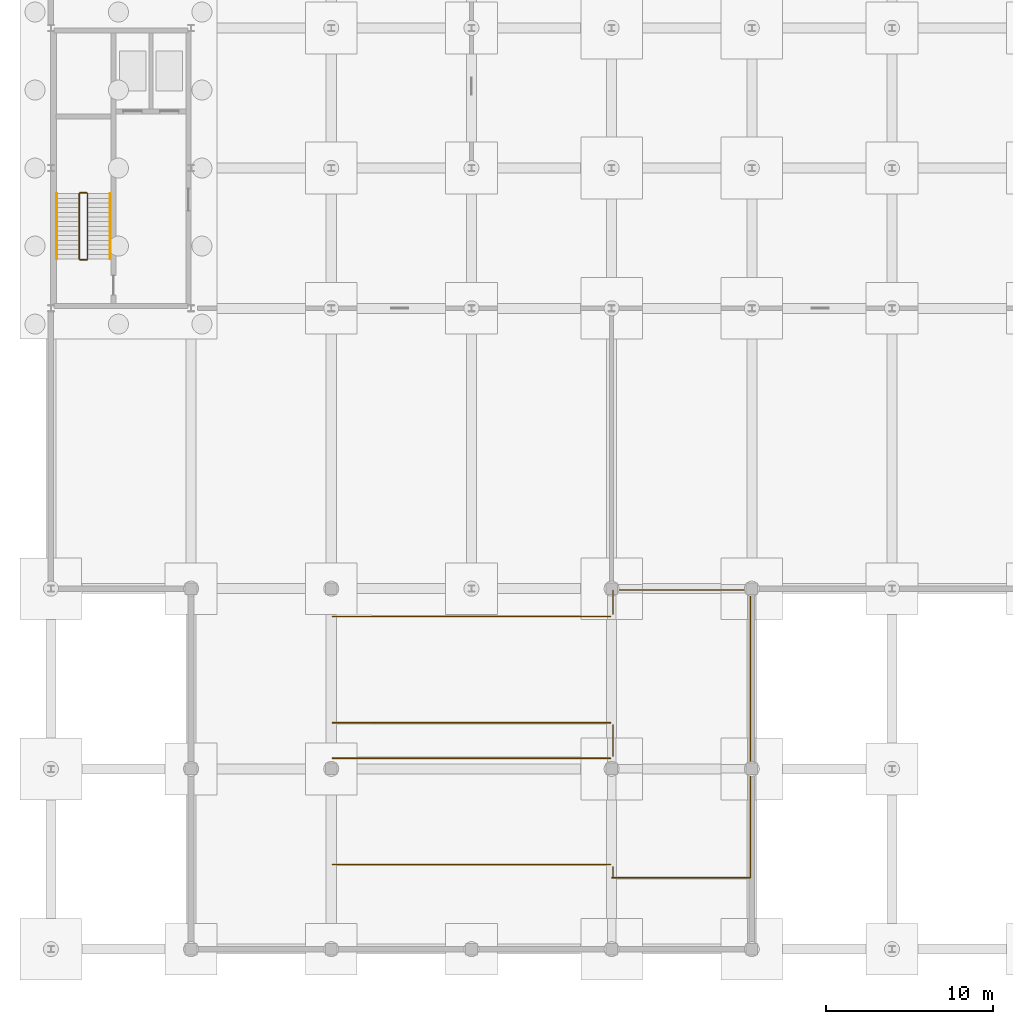
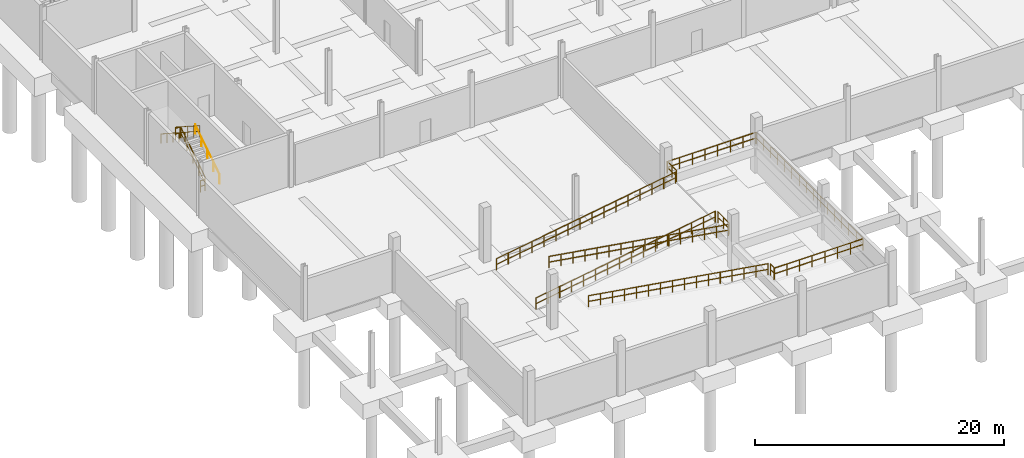
# One storey, part 31 of 36: 16 railings.
"""IFC4 building model written with IfcOpenShell, lengths in metres."""

from ifc_helpers import new_model, si_unit, direction, frame, origin, origin_2d, place, context, subcontext, project, spatial, circle, extrude, material, type_object, element, save


model = new_model("IFC4")

# Units and contexts
model_context = context("Model", 3, precision=1e-05, world=origin(), true_north=direction((0.0, 1.0)))
body_context = subcontext(model_context, "Body", "Model", "MODEL_VIEW")
ifc_project = project(units=[si_unit("LENGTHUNIT", "METRE"), si_unit("AREAUNIT", "SQUARE_METRE"), si_unit("VOLUMEUNIT", "CUBIC_METRE"), si_unit("PLANEANGLEUNIT", "RADIAN"), si_unit("MASSUNIT", "GRAM", prefix="KILO"), si_unit("THERMODYNAMICTEMPERATUREUNIT", "KELVIN"), si_unit("POWERUNIT", "WATT")], contexts=[model_context])

# Site, building, storey
site_placement = place(None, origin())
site = spatial("IfcSite", under=ifc_project, at=site_placement, CompositionType="ELEMENT")
building_placement = place(site_placement, origin())
building = spatial("IfcBuilding", under=site, at=building_placement, Name="Tembeka Court Mobility Hub", CompositionType="ELEMENT")
storey_placement = place(building_placement, frame((0.0, 0.0, -5.39990234375)))
storey = spatial("IfcBuildingStorey", under=building, at=storey_placement, Name="B1", CompositionType="ELEMENT", Elevation=-5.39990234375)

# Railings
ifc_material_1 = material(Name="Painted galvanised steel balustrade", Category="steel")
railing_type_1 = type_object("IfcRailingType", Name="RL-GR01", PredefinedType="GUARDRAIL", material=ifc_material_1)
railing_1_placement = place(storey_placement, frame((2.199951171875, 41.35009765625, 0.179931640625)))
element("IfcRailing", 1, at=railing_1_placement, inside=storey, type_object=railing_type_1, Name="B1 ST01 stair guard 1-1", PredefinedType="GUARDRAIL", context=body_context, shape_type="SweptSolid", body=[
    extrude(circle(Radius=0.02392578125, at=origin_2d()), frame((0.0, 0.0, 1.09619140625), z_axis=(0.0, 0.841171666519, 0.540768182723), x_axis=(-1.0, 0.0, 0.0)), (0.0, 0.0, 1.0), 4.66015625),
    extrude(circle(Radius=0.02392578125, at=origin_2d()), frame((0.0, 0.0, 0.5361328125), z_axis=(0.0, 0.841171666519, 0.540768182723), x_axis=(-1.0, 0.0, 0.0)), (0.0, 0.0, 1.0), 4.66015625),
    extrude(circle(Radius=0.02099609375, at=origin_2d()), origin(), (0.0, 0.0, 1.0), 1.072021484375),
    extrude(circle(Radius=0.02099609375, at=origin_2d()), frame((0.0, 0.97998046875, 0.6298828125)), (0.0, 0.0, 1.0), 1.072021484375),
    extrude(circle(Radius=0.02099609375, at=origin_2d()), frame((0.0, 1.9599609375, 1.260009765625)), (0.0, 0.0, 1.0), 1.072021484375),
    extrude(circle(Radius=0.02099609375, at=origin_2d()), frame((0.0, 2.93994140625, 1.89013671875)), (0.0, 0.0, 1.0), 1.072021484375),
    extrude(circle(Radius=0.02099609375, at=origin_2d()), frame((0.0, 3.919921875, 2.52001953125)), (0.0, 0.0, 1.0), 1.072021484375),
])
railing_2_placement = place(storey_placement, frame((2.14990234375, 45.320068359375, 2.699951171875)))
element("IfcRailing", 2, at=railing_2_placement, inside=storey, type_object=railing_type_1, Name="B1 ST01 stair guard 2-1", PredefinedType="GUARDRAIL", context=body_context, shape_type="SweptSolid", body=[
    extrude(circle(Radius=0.02392578125, at=origin_2d()), frame((0.0, 0.0, 1.09619140625), z_axis=(-1.0, 0.0, 0.0), x_axis=(0.0, -1.0, 0.0)), (0.0, 0.0, 1.0), 0.39990234375),
    extrude(circle(Radius=0.02392578125, at=origin_2d()), frame((0.0, 0.0, 0.5361328125), z_axis=(-1.0, 0.0, 0.0), x_axis=(0.0, -1.0, 0.0)), (0.0, 0.0, 1.0), 0.39990234375),
    extrude(circle(Radius=0.02099609375, at=origin_2d()), origin(), (0.0, 0.0, 1.0), 1.072021484375),
    extrude(circle(Radius=0.02099609375, at=origin_2d()), frame((-0.39990234375, 0.0, 0.0)), (0.0, 0.0, 1.0), 1.072021484375),
])
railing_3_placement = place(storey_placement, frame((1.699951171875, 45.27001953125, 2.8798828125)))
element("IfcRailing", 3, at=railing_3_placement, inside=storey, type_object=railing_type_1, Name="B1 ST01 stair guard 3-1", PredefinedType="GUARDRAIL", context=body_context, shape_type="SweptSolid", body=[
    extrude(circle(Radius=0.02392578125, at=origin_2d()), frame((0.0, 0.0, 1.09619140625), z_axis=(0.0, -0.841171666519, 0.540768182723), x_axis=(1.0, 0.0, 0.0)), (0.0, 0.0, 1.0), 4.66015625),
    extrude(circle(Radius=0.02392578125, at=origin_2d()), frame((0.0, 0.0, 0.5361328125), z_axis=(0.0, -0.841171666519, 0.540768182723), x_axis=(1.0, 0.0, 0.0)), (0.0, 0.0, 1.0), 4.66015625),
    extrude(circle(Radius=0.02099609375, at=origin_2d()), origin(), (0.0, 0.0, 1.0), 1.072021484375),
    extrude(circle(Radius=0.02099609375, at=origin_2d()), frame((0.0, -0.97998046875, 0.6298828125)), (0.0, 0.0, 1.0), 1.072021484375),
    extrude(circle(Radius=0.02099609375, at=origin_2d()), frame((0.0, -1.9599609375, 1.260009765625)), (0.0, 0.0, 1.0), 1.072021484375),
    extrude(circle(Radius=0.02099609375, at=origin_2d()), frame((0.0, -2.93994140625, 1.89013671875)), (0.0, 0.0, 1.0), 1.072021484375),
    extrude(circle(Radius=0.02099609375, at=origin_2d()), frame((0.0, -3.919921875, 2.52001953125)), (0.0, 0.0, 1.0), 1.072021484375),
])
railing_4_placement = place(storey_placement, frame((2.14990234375, 41.300048828125, 0.0)))
element("IfcRailing", 4, at=railing_4_placement, inside=storey, type_object=railing_type_1, Name="B1 ST01 stair guard 4-1", PredefinedType="GUARDRAIL", context=body_context, shape_type="SweptSolid", body=[
    extrude(circle(Radius=0.02392578125, at=origin_2d()), frame((0.0, 0.0, 1.09619140625), z_axis=(-1.0, 0.0, 0.0), x_axis=(0.0, -1.0, 0.0)), (0.0, 0.0, 1.0), 0.39990234375),
    extrude(circle(Radius=0.02392578125, at=origin_2d()), frame((0.0, 0.0, 0.5361328125), z_axis=(-1.0, 0.0, 0.0), x_axis=(0.0, -1.0, 0.0)), (0.0, 0.0, 1.0), 0.39990234375),
    extrude(circle(Radius=0.02099609375, at=origin_2d()), origin(), (0.0, 0.0, 1.0), 1.072021484375),
    extrude(circle(Radius=0.02099609375, at=origin_2d()), frame((-0.39990234375, 0.0, 0.0)), (0.0, 0.0, 1.0), 1.072021484375),
])
railing_type_2 = type_object("IfcRailingType", Name="RL-GR02", PredefinedType="GUARDRAIL", material=ifc_material_1)
railing_5_placement = place(storey_placement, frame((16.86962890625, 13.570068359375, 0.004638671875)))
element("IfcRailing", 5, at=railing_5_placement, inside=storey, type_object=railing_type_2, Name="Perimeter guard GR02-0277", PredefinedType="GUARDRAIL", context=body_context, shape_type="SweptSolid", body=[
    extrude(circle(Radius=0.02392578125, at=origin_2d()), frame((0.0, 0.0, 1.09619140625), z_axis=(0.987211393699, 0.0, 0.159416636997), x_axis=(0.0, 1.0, 0.0)), (0.0, 0.0, 1.0), 16.876708984375),
    extrude(circle(Radius=0.02392578125, at=origin_2d()), frame((0.0, 0.0, 0.5361328125), z_axis=(0.987211393699, 0.0, 0.159416636997), x_axis=(0.0, 1.0, 0.0)), (0.0, 0.0, 1.0), 16.876708984375),
    extrude(circle(Radius=0.02099609375, at=origin_2d()), origin(), (0.0, 0.0, 1.0), 1.072021484375),
    extrude(circle(Radius=0.02099609375, at=origin_2d()), frame((1.11083984375, 0.0, 0.179443359375)), (0.0, 0.0, 1.0), 1.072021484375),
    extrude(circle(Radius=0.02099609375, at=origin_2d()), frame((2.221435546875, 0.0, 0.358642578125)), (0.0, 0.0, 1.0), 1.072021484375),
    extrude(circle(Radius=0.02099609375, at=origin_2d()), frame((3.332275390625, 0.0, 0.5380859375)), (0.0, 0.0, 1.0), 1.072021484375),
    extrude(circle(Radius=0.02099609375, at=origin_2d()), frame((4.44287109375, 0.0, 0.717529296875)), (0.0, 0.0, 1.0), 1.072021484375),
    extrude(circle(Radius=0.02099609375, at=origin_2d()), frame((5.5537109375, 0.0, 0.896728515625)), (0.0, 0.0, 1.0), 1.072021484375),
    extrude(circle(Radius=0.02099609375, at=origin_2d()), frame((6.664306640625, 0.0, 1.076171875)), (0.0, 0.0, 1.0), 1.072021484375),
    extrude(circle(Radius=0.02099609375, at=origin_2d()), frame((7.775146484375, 0.0, 1.255615234375)), (0.0, 0.0, 1.0), 1.072021484375),
    extrude(circle(Radius=0.02099609375, at=origin_2d()), frame((8.8857421875, 0.0, 1.434814453125)), (0.0, 0.0, 1.0), 1.072021484375),
    extrude(circle(Radius=0.02099609375, at=origin_2d()), frame((9.99658203125, 0.0, 1.6142578125)), (0.0, 0.0, 1.0), 1.072021484375),
    extrude(circle(Radius=0.02099609375, at=origin_2d()), frame((11.107177734375, 0.0, 1.793701171875)), (0.0, 0.0, 1.0), 1.072021484375),
    extrude(circle(Radius=0.02099609375, at=origin_2d()), frame((12.218017578125, 0.0, 1.972900390625)), (0.0, 0.0, 1.0), 1.072021484375),
    extrude(circle(Radius=0.02099609375, at=origin_2d()), frame((13.32861328125, 0.0, 2.15234375)), (0.0, 0.0, 1.0), 1.072021484375),
    extrude(circle(Radius=0.02099609375, at=origin_2d()), frame((14.439453125, 0.0, 2.331787109375)), (0.0, 0.0, 1.0), 1.072021484375),
    extrude(circle(Radius=0.02099609375, at=origin_2d()), frame((15.550048828125, 0.0, 2.510986328125)), (0.0, 0.0, 1.0), 1.072021484375),
    extrude(circle(Radius=0.02099609375, at=origin_2d()), frame((16.660888671875, 0.0, 2.6904296875)), (0.0, 0.0, 1.0), 1.072021484375),
])
railing_6_placement = place(storey_placement, frame((33.530517578125, 5.070068359375, 2.70458984375)))
element("IfcRailing", 6, at=railing_6_placement, inside=storey, type_object=railing_type_2, Name="Perimeter guard GR02-0278", PredefinedType="GUARDRAIL", context=body_context, shape_type="SweptSolid", body=[
    extrude(circle(Radius=0.02392578125, at=origin_2d()), frame((0.0, 0.0, 1.09619140625), z_axis=(-0.987211393699, 0.0, 0.159416636997), x_axis=(0.0, -1.0, 0.0)), (0.0, 0.0, 1.0), 16.876708984375),
    extrude(circle(Radius=0.02392578125, at=origin_2d()), frame((0.0, 0.0, 0.5361328125), z_axis=(-0.987211393699, 0.0, 0.159416636997), x_axis=(0.0, -1.0, 0.0)), (0.0, 0.0, 1.0), 16.876708984375),
    extrude(circle(Radius=0.02099609375, at=origin_2d()), origin(), (0.0, 0.0, 1.0), 1.072021484375),
    extrude(circle(Radius=0.02099609375, at=origin_2d()), frame((-1.11083984375, 0.0, 0.179443359375)), (0.0, 0.0, 1.0), 1.072021484375),
    extrude(circle(Radius=0.02099609375, at=origin_2d()), frame((-2.221435546875, 0.0, 0.358642578125)), (0.0, 0.0, 1.0), 1.072021484375),
    extrude(circle(Radius=0.02099609375, at=origin_2d()), frame((-3.332275390625, 0.0, 0.5380859375)), (0.0, 0.0, 1.0), 1.072021484375),
    extrude(circle(Radius=0.02099609375, at=origin_2d()), frame((-4.44287109375, 0.0, 0.717529296875)), (0.0, 0.0, 1.0), 1.072021484375),
    extrude(circle(Radius=0.02099609375, at=origin_2d()), frame((-5.5537109375, 0.0, 0.896728515625)), (0.0, 0.0, 1.0), 1.072021484375),
    extrude(circle(Radius=0.02099609375, at=origin_2d()), frame((-6.664306640625, 0.0, 1.076171875)), (0.0, 0.0, 1.0), 1.072021484375),
    extrude(circle(Radius=0.02099609375, at=origin_2d()), frame((-7.775146484375, 0.0, 1.255615234375)), (0.0, 0.0, 1.0), 1.072021484375),
    extrude(circle(Radius=0.02099609375, at=origin_2d()), frame((-8.8857421875, 0.0, 1.434814453125)), (0.0, 0.0, 1.0), 1.072021484375),
    extrude(circle(Radius=0.02099609375, at=origin_2d()), frame((-9.99658203125, 0.0, 1.6142578125)), (0.0, 0.0, 1.0), 1.072021484375),
    extrude(circle(Radius=0.02099609375, at=origin_2d()), frame((-11.107177734375, 0.0, 1.793701171875)), (0.0, 0.0, 1.0), 1.072021484375),
    extrude(circle(Radius=0.02099609375, at=origin_2d()), frame((-12.218017578125, 0.0, 1.972900390625)), (0.0, 0.0, 1.0), 1.072021484375),
    extrude(circle(Radius=0.02099609375, at=origin_2d()), frame((-13.32861328125, 0.0, 2.15234375)), (0.0, 0.0, 1.0), 1.072021484375),
    extrude(circle(Radius=0.02099609375, at=origin_2d()), frame((-14.439453125, 0.0, 2.331787109375)), (0.0, 0.0, 1.0), 1.072021484375),
    extrude(circle(Radius=0.02099609375, at=origin_2d()), frame((-15.550048828125, 0.0, 2.510986328125)), (0.0, 0.0, 1.0), 1.072021484375),
    extrude(circle(Radius=0.02099609375, at=origin_2d()), frame((-16.660888671875, 0.0, 2.6904296875)), (0.0, 0.0, 1.0), 1.072021484375),
])
railing_7_placement = place(storey_placement, frame((16.86962890625, 19.929931640625, 0.004638671875)))
element("IfcRailing", 7, at=railing_7_placement, inside=storey, type_object=railing_type_2, Name="Perimeter guard GR02-0279", PredefinedType="GUARDRAIL", context=body_context, shape_type="SweptSolid", body=[
    extrude(circle(Radius=0.02392578125, at=origin_2d()), frame((0.0, 0.0, 1.09619140625), z_axis=(0.987211393699, 0.0, 0.159416636997), x_axis=(0.0, 1.0, 0.0)), (0.0, 0.0, 1.0), 16.876708984375),
    extrude(circle(Radius=0.02392578125, at=origin_2d()), frame((0.0, 0.0, 0.5361328125), z_axis=(0.987211393699, 0.0, 0.159416636997), x_axis=(0.0, 1.0, 0.0)), (0.0, 0.0, 1.0), 16.876708984375),
    extrude(circle(Radius=0.02099609375, at=origin_2d()), origin(), (0.0, 0.0, 1.0), 1.072021484375),
    extrude(circle(Radius=0.02099609375, at=origin_2d()), frame((1.11083984375, 0.0, 0.179443359375)), (0.0, 0.0, 1.0), 1.072021484375),
    extrude(circle(Radius=0.02099609375, at=origin_2d()), frame((2.221435546875, 0.0, 0.358642578125)), (0.0, 0.0, 1.0), 1.072021484375),
    extrude(circle(Radius=0.02099609375, at=origin_2d()), frame((3.332275390625, 0.0, 0.5380859375)), (0.0, 0.0, 1.0), 1.072021484375),
    extrude(circle(Radius=0.02099609375, at=origin_2d()), frame((4.44287109375, 0.0, 0.717529296875)), (0.0, 0.0, 1.0), 1.072021484375),
    extrude(circle(Radius=0.02099609375, at=origin_2d()), frame((5.5537109375, 0.0, 0.896728515625)), (0.0, 0.0, 1.0), 1.072021484375),
    extrude(circle(Radius=0.02099609375, at=origin_2d()), frame((6.664306640625, 0.0, 1.076171875)), (0.0, 0.0, 1.0), 1.072021484375),
    extrude(circle(Radius=0.02099609375, at=origin_2d()), frame((7.775146484375, 0.0, 1.255615234375)), (0.0, 0.0, 1.0), 1.072021484375),
    extrude(circle(Radius=0.02099609375, at=origin_2d()), frame((8.8857421875, 0.0, 1.434814453125)), (0.0, 0.0, 1.0), 1.072021484375),
    extrude(circle(Radius=0.02099609375, at=origin_2d()), frame((9.99658203125, 0.0, 1.6142578125)), (0.0, 0.0, 1.0), 1.072021484375),
    extrude(circle(Radius=0.02099609375, at=origin_2d()), frame((11.107177734375, 0.0, 1.793701171875)), (0.0, 0.0, 1.0), 1.072021484375),
    extrude(circle(Radius=0.02099609375, at=origin_2d()), frame((12.218017578125, 0.0, 1.972900390625)), (0.0, 0.0, 1.0), 1.072021484375),
    extrude(circle(Radius=0.02099609375, at=origin_2d()), frame((13.32861328125, 0.0, 2.15234375)), (0.0, 0.0, 1.0), 1.072021484375),
    extrude(circle(Radius=0.02099609375, at=origin_2d()), frame((14.439453125, 0.0, 2.331787109375)), (0.0, 0.0, 1.0), 1.072021484375),
    extrude(circle(Radius=0.02099609375, at=origin_2d()), frame((15.550048828125, 0.0, 2.510986328125)), (0.0, 0.0, 1.0), 1.072021484375),
    extrude(circle(Radius=0.02099609375, at=origin_2d()), frame((16.660888671875, 0.0, 2.6904296875)), (0.0, 0.0, 1.0), 1.072021484375),
])
railing_8_placement = place(storey_placement, frame((33.530517578125, 11.429931640625, 2.70458984375)))
element("IfcRailing", 8, at=railing_8_placement, inside=storey, type_object=railing_type_2, Name="Perimeter guard GR02-0280", PredefinedType="GUARDRAIL", context=body_context, shape_type="SweptSolid", body=[
    extrude(circle(Radius=0.02392578125, at=origin_2d()), frame((0.0, 0.0, 1.09619140625), z_axis=(-0.987211393699, 0.0, 0.159416636997), x_axis=(0.0, -1.0, 0.0)), (0.0, 0.0, 1.0), 16.876708984375),
    extrude(circle(Radius=0.02392578125, at=origin_2d()), frame((0.0, 0.0, 0.5361328125), z_axis=(-0.987211393699, 0.0, 0.159416636997), x_axis=(0.0, -1.0, 0.0)), (0.0, 0.0, 1.0), 16.876708984375),
    extrude(circle(Radius=0.02099609375, at=origin_2d()), origin(), (0.0, 0.0, 1.0), 1.072021484375),
    extrude(circle(Radius=0.02099609375, at=origin_2d()), frame((-1.11083984375, 0.0, 0.179443359375)), (0.0, 0.0, 1.0), 1.072021484375),
    extrude(circle(Radius=0.02099609375, at=origin_2d()), frame((-2.221435546875, 0.0, 0.358642578125)), (0.0, 0.0, 1.0), 1.072021484375),
    extrude(circle(Radius=0.02099609375, at=origin_2d()), frame((-3.332275390625, 0.0, 0.5380859375)), (0.0, 0.0, 1.0), 1.072021484375),
    extrude(circle(Radius=0.02099609375, at=origin_2d()), frame((-4.44287109375, 0.0, 0.717529296875)), (0.0, 0.0, 1.0), 1.072021484375),
    extrude(circle(Radius=0.02099609375, at=origin_2d()), frame((-5.5537109375, 0.0, 0.896728515625)), (0.0, 0.0, 1.0), 1.072021484375),
    extrude(circle(Radius=0.02099609375, at=origin_2d()), frame((-6.664306640625, 0.0, 1.076171875)), (0.0, 0.0, 1.0), 1.072021484375),
    extrude(circle(Radius=0.02099609375, at=origin_2d()), frame((-7.775146484375, 0.0, 1.255615234375)), (0.0, 0.0, 1.0), 1.072021484375),
    extrude(circle(Radius=0.02099609375, at=origin_2d()), frame((-8.8857421875, 0.0, 1.434814453125)), (0.0, 0.0, 1.0), 1.072021484375),
    extrude(circle(Radius=0.02099609375, at=origin_2d()), frame((-9.99658203125, 0.0, 1.6142578125)), (0.0, 0.0, 1.0), 1.072021484375),
    extrude(circle(Radius=0.02099609375, at=origin_2d()), frame((-11.107177734375, 0.0, 1.793701171875)), (0.0, 0.0, 1.0), 1.072021484375),
    extrude(circle(Radius=0.02099609375, at=origin_2d()), frame((-12.218017578125, 0.0, 1.972900390625)), (0.0, 0.0, 1.0), 1.072021484375),
    extrude(circle(Radius=0.02099609375, at=origin_2d()), frame((-13.32861328125, 0.0, 2.15234375)), (0.0, 0.0, 1.0), 1.072021484375),
    extrude(circle(Radius=0.02099609375, at=origin_2d()), frame((-14.439453125, 0.0, 2.331787109375)), (0.0, 0.0, 1.0), 1.072021484375),
    extrude(circle(Radius=0.02099609375, at=origin_2d()), frame((-15.550048828125, 0.0, 2.510986328125)), (0.0, 0.0, 1.0), 1.072021484375),
    extrude(circle(Radius=0.02099609375, at=origin_2d()), frame((-16.660888671875, 0.0, 2.6904296875)), (0.0, 0.0, 1.0), 1.072021484375),
])
railing_9_placement = place(storey_placement, frame((33.6298828125, 4.280029296875, 2.699951171875)))
element("IfcRailing", 9, at=railing_9_placement, inside=storey, type_object=railing_type_2, Name="Perimeter guard GR02-0281", PredefinedType="GUARDRAIL", context=body_context, shape_type="SweptSolid", body=[
    extrude(circle(Radius=0.02392578125, at=origin_2d()), frame((0.0, 0.0, 1.09619140625), z_axis=(1.0, 0.0, 0.0), x_axis=(0.0, 1.0, 0.0)), (0.0, 0.0, 1.0), 8.260009765625),
    extrude(circle(Radius=0.02392578125, at=origin_2d()), frame((0.0, 0.0, 0.5361328125), z_axis=(1.0, 0.0, 0.0), x_axis=(0.0, 1.0, 0.0)), (0.0, 0.0, 1.0), 8.260009765625),
    extrude(circle(Radius=0.02099609375, at=origin_2d()), origin(), (0.0, 0.0, 1.0), 1.072021484375),
    extrude(circle(Radius=0.02099609375, at=origin_2d()), frame((1.179931640625, 0.0, 0.0)), (0.0, 0.0, 1.0), 1.072021484375),
    extrude(circle(Radius=0.02099609375, at=origin_2d()), frame((2.360107421875, 0.0, 0.0)), (0.0, 0.0, 1.0), 1.072021484375),
    extrude(circle(Radius=0.02099609375, at=origin_2d()), frame((3.5400390625, 0.0, 0.0)), (0.0, 0.0, 1.0), 1.072021484375),
    extrude(circle(Radius=0.02099609375, at=origin_2d()), frame((4.719970703125, 0.0, 0.0)), (0.0, 0.0, 1.0), 1.072021484375),
    extrude(circle(Radius=0.02099609375, at=origin_2d()), frame((5.89990234375, 0.0, 0.0)), (0.0, 0.0, 1.0), 1.072021484375),
    extrude(circle(Radius=0.02099609375, at=origin_2d()), frame((7.080078125, 0.0, 0.0)), (0.0, 0.0, 1.0), 1.072021484375),
    extrude(circle(Radius=0.02099609375, at=origin_2d()), frame((8.260009765625, 0.0, 0.0)), (0.0, 0.0, 1.0), 1.072021484375),
])
railing_10_placement = place(storey_placement, frame((41.919921875, 4.31005859375, 2.699951171875)))
element("IfcRailing", 10, at=railing_10_placement, inside=storey, type_object=railing_type_2, Name="Perimeter guard GR02-0282", PredefinedType="GUARDRAIL", context=body_context, shape_type="SweptSolid", body=[
    extrude(circle(Radius=0.02392578125, at=origin_2d()), frame((0.0, 0.0, 1.09619140625), z_axis=(0.0, 1.0, 0.0), x_axis=(-1.0, 0.0, 0.0)), (0.0, 0.0, 1.0), 17.179931640625),
    extrude(circle(Radius=0.02392578125, at=origin_2d()), frame((0.0, 0.0, 0.5361328125), z_axis=(0.0, 1.0, 0.0), x_axis=(-1.0, 0.0, 0.0)), (0.0, 0.0, 1.0), 17.179931640625),
    extrude(circle(Radius=0.02099609375, at=origin_2d()), origin(), (0.0, 0.0, 1.0), 1.072021484375),
    extrude(circle(Radius=0.02099609375, at=origin_2d()), frame((0.0, 1.145263671875, 0.0)), (0.0, 0.0, 1.0), 1.072021484375),
    extrude(circle(Radius=0.02099609375, at=origin_2d()), frame((0.0, 2.290771484375, 0.0)), (0.0, 0.0, 1.0), 1.072021484375),
    extrude(circle(Radius=0.02099609375, at=origin_2d()), frame((0.0, 3.43603515625, 0.0)), (0.0, 0.0, 1.0), 1.072021484375),
    extrude(circle(Radius=0.02099609375, at=origin_2d()), frame((0.0, 4.581298828125, 0.0)), (0.0, 0.0, 1.0), 1.072021484375),
    extrude(circle(Radius=0.02099609375, at=origin_2d()), frame((0.0, 5.7265625, 0.0)), (0.0, 0.0, 1.0), 1.072021484375),
    extrude(circle(Radius=0.02099609375, at=origin_2d()), frame((0.0, 6.8720703125, 0.0)), (0.0, 0.0, 1.0), 1.072021484375),
    extrude(circle(Radius=0.02099609375, at=origin_2d()), frame((0.0, 8.017333984375, 0.0)), (0.0, 0.0, 1.0), 1.072021484375),
    extrude(circle(Radius=0.02099609375, at=origin_2d()), frame((0.0, 9.16259765625, 0.0)), (0.0, 0.0, 1.0), 1.072021484375),
    extrude(circle(Radius=0.02099609375, at=origin_2d()), frame((0.0, 10.307861328125, 0.0)), (0.0, 0.0, 1.0), 1.072021484375),
    extrude(circle(Radius=0.02099609375, at=origin_2d()), frame((0.0, 11.453369140625, 0.0)), (0.0, 0.0, 1.0), 1.072021484375),
    extrude(circle(Radius=0.02099609375, at=origin_2d()), frame((0.0, 12.5986328125, 0.0)), (0.0, 0.0, 1.0), 1.072021484375),
    extrude(circle(Radius=0.02099609375, at=origin_2d()), frame((0.0, 13.743896484375, 0.0)), (0.0, 0.0, 1.0), 1.072021484375),
    extrude(circle(Radius=0.02099609375, at=origin_2d()), frame((0.0, 14.88916015625, 0.0)), (0.0, 0.0, 1.0), 1.072021484375),
    extrude(circle(Radius=0.02099609375, at=origin_2d()), frame((0.0, 16.03466796875, 0.0)), (0.0, 0.0, 1.0), 1.072021484375),
    extrude(circle(Radius=0.02099609375, at=origin_2d()), frame((0.0, 17.179931640625, 0.0)), (0.0, 0.0, 1.0), 1.072021484375),
])
railing_11_placement = place(storey_placement, frame((41.889892578125, 21.52001953125, 2.699951171875)))
element("IfcRailing", 11, at=railing_11_placement, inside=storey, type_object=railing_type_2, Name="Perimeter guard GR02-0283", PredefinedType="GUARDRAIL", context=body_context, shape_type="SweptSolid", body=[
    extrude(circle(Radius=0.02392578125, at=origin_2d()), frame((0.0, 0.0, 1.09619140625), z_axis=(-1.0, 0.0, 0.0), x_axis=(0.0, -1.0, 0.0)), (0.0, 0.0, 1.0), 8.260009765625),
    extrude(circle(Radius=0.02392578125, at=origin_2d()), frame((0.0, 0.0, 0.5361328125), z_axis=(-1.0, 0.0, 0.0), x_axis=(0.0, -1.0, 0.0)), (0.0, 0.0, 1.0), 8.260009765625),
    extrude(circle(Radius=0.02099609375, at=origin_2d()), origin(), (0.0, 0.0, 1.0), 1.072021484375),
    extrude(circle(Radius=0.02099609375, at=origin_2d()), frame((-1.179931640625, 0.0, 0.0)), (0.0, 0.0, 1.0), 1.072021484375),
    extrude(circle(Radius=0.02099609375, at=origin_2d()), frame((-2.360107421875, 0.0, 0.0)), (0.0, 0.0, 1.0), 1.072021484375),
    extrude(circle(Radius=0.02099609375, at=origin_2d()), frame((-3.5400390625, 0.0, 0.0)), (0.0, 0.0, 1.0), 1.072021484375),
    extrude(circle(Radius=0.02099609375, at=origin_2d()), frame((-4.719970703125, 0.0, 0.0)), (0.0, 0.0, 1.0), 1.072021484375),
    extrude(circle(Radius=0.02099609375, at=origin_2d()), frame((-5.89990234375, 0.0, 0.0)), (0.0, 0.0, 1.0), 1.072021484375),
    extrude(circle(Radius=0.02099609375, at=origin_2d()), frame((-7.080078125, 0.0, 0.0)), (0.0, 0.0, 1.0), 1.072021484375),
    extrude(circle(Radius=0.02099609375, at=origin_2d()), frame((-8.260009765625, 0.0, 0.0)), (0.0, 0.0, 1.0), 1.072021484375),
])
railing_12_placement = place(storey_placement, frame((33.679931640625, 4.31005859375, 2.699951171875)))
element("IfcRailing", 12, at=railing_12_placement, inside=storey, type_object=railing_type_2, Name="Perimeter guard GR02-0284", PredefinedType="GUARDRAIL", context=body_context, shape_type="SweptSolid", body=[
    extrude(circle(Radius=0.02392578125, at=origin_2d()), frame((0.0, 0.0, 1.09619140625), z_axis=(0.0, 1.0, 0.0), x_axis=(-1.0, 0.0, 0.0)), (0.0, 0.0, 1.0), 0.60986328125),
    extrude(circle(Radius=0.02392578125, at=origin_2d()), frame((0.0, 0.0, 0.5361328125), z_axis=(0.0, 1.0, 0.0), x_axis=(-1.0, 0.0, 0.0)), (0.0, 0.0, 1.0), 0.60986328125),
    extrude(circle(Radius=0.02099609375, at=origin_2d()), origin(), (0.0, 0.0, 1.0), 1.072021484375),
    extrude(circle(Radius=0.02099609375, at=origin_2d()), frame((0.0, 0.60986328125, 0.0)), (0.0, 0.0, 1.0), 1.072021484375),
])
railing_13_placement = place(storey_placement, frame((33.679931640625, 11.580078125, 2.699951171875)))
element("IfcRailing", 13, at=railing_13_placement, inside=storey, type_object=railing_type_2, Name="Perimeter guard GR02-0285", PredefinedType="GUARDRAIL", context=body_context, shape_type="SweptSolid", body=[
    extrude(circle(Radius=0.02392578125, at=origin_2d()), frame((0.0, 0.0, 1.09619140625), z_axis=(0.0, 1.0, 0.0), x_axis=(-1.0, 0.0, 0.0)), (0.0, 0.0, 1.0), 1.83984375),
    extrude(circle(Radius=0.02392578125, at=origin_2d()), frame((0.0, 0.0, 0.5361328125), z_axis=(0.0, 1.0, 0.0), x_axis=(-1.0, 0.0, 0.0)), (0.0, 0.0, 1.0), 1.83984375),
    extrude(circle(Radius=0.02099609375, at=origin_2d()), origin(), (0.0, 0.0, 1.0), 1.072021484375),
    extrude(circle(Radius=0.02099609375, at=origin_2d()), frame((0.0, 0.919921875, 0.0)), (0.0, 0.0, 1.0), 1.072021484375),
    extrude(circle(Radius=0.02099609375, at=origin_2d()), frame((0.0, 1.83984375, 0.0)), (0.0, 0.0, 1.0), 1.072021484375),
])
railing_14_placement = place(storey_placement, frame((33.679931640625, 20.080078125, 2.699951171875)))
element("IfcRailing", 14, at=railing_14_placement, inside=storey, type_object=railing_type_2, Name="Perimeter guard GR02-0286", PredefinedType="GUARDRAIL", context=body_context, shape_type="SweptSolid", body=[
    extrude(circle(Radius=0.02392578125, at=origin_2d()), frame((0.0, 0.0, 1.09619140625), z_axis=(0.0, 1.0, 0.0), x_axis=(-1.0, 0.0, 0.0)), (0.0, 0.0, 1.0), 1.409912109375),
    extrude(circle(Radius=0.02392578125, at=origin_2d()), frame((0.0, 0.0, 0.5361328125), z_axis=(0.0, 1.0, 0.0), x_axis=(-1.0, 0.0, 0.0)), (0.0, 0.0, 1.0), 1.409912109375),
    extrude(circle(Radius=0.02099609375, at=origin_2d()), origin(), (0.0, 0.0, 1.0), 1.072021484375),
    extrude(circle(Radius=0.02099609375, at=origin_2d()), frame((0.0, 0.705078125, 0.0)), (0.0, 0.0, 1.0), 1.072021484375),
    extrude(circle(Radius=0.02099609375, at=origin_2d()), frame((0.0, 1.409912109375, 0.0)), (0.0, 0.0, 1.0), 1.072021484375),
])
ifc_material_2 = material(Name="Brushed stainless steel handrail", Category="steel")
railing_type_3 = type_object("IfcRailingType", Name="RL-HR01", PredefinedType="HANDRAIL", material=ifc_material_2)
railing_15_placement = place(storey_placement, frame((3.550048828125, 41.35009765625, 0.179931640625)))
element("IfcRailing", 15, at=railing_15_placement, inside=storey, type_object=railing_type_3, Name="B1 ST01 handrail 1-1", PredefinedType="HANDRAIL", context=body_context, shape_type="SweptSolid", body=[
    extrude(circle(Radius=0.02392578125, at=origin_2d()), frame((0.0, 0.0, 0.89599609375), z_axis=(0.0, 0.841171666519, 0.540768182723), x_axis=(-1.0, 0.0, 0.0)), (0.0, 0.0, 1.0), 4.66015625),
    extrude(circle(Radius=0.02099609375, at=origin_2d()), origin(), (0.0, 0.0, 1.0), 0.871826171875),
    extrude(circle(Radius=0.02099609375, at=origin_2d()), frame((0.0, 0.97998046875, 0.6298828125)), (0.0, 0.0, 1.0), 0.871826171875),
    extrude(circle(Radius=0.02099609375, at=origin_2d()), frame((0.0, 1.9599609375, 1.260009765625)), (0.0, 0.0, 1.0), 0.871826171875),
    extrude(circle(Radius=0.02099609375, at=origin_2d()), frame((0.0, 2.93994140625, 1.89013671875)), (0.0, 0.0, 1.0), 0.871826171875),
    extrude(circle(Radius=0.02099609375, at=origin_2d()), frame((0.0, 3.919921875, 2.52001953125)), (0.0, 0.0, 1.0), 0.871826171875),
])
railing_16_placement = place(storey_placement, frame((0.35009765625, 45.27001953125, 2.8798828125)))
element("IfcRailing", 16, at=railing_16_placement, inside=storey, type_object=railing_type_3, Name="B1 ST01 handrail 2-1", PredefinedType="HANDRAIL", context=body_context, shape_type="SweptSolid", body=[
    extrude(circle(Radius=0.02392578125, at=origin_2d()), frame((0.0, 0.0, 0.89599609375), z_axis=(0.0, -0.841171666519, 0.540768182723), x_axis=(1.0, 0.0, 0.0)), (0.0, 0.0, 1.0), 4.66015625),
    extrude(circle(Radius=0.02099609375, at=origin_2d()), origin(), (0.0, 0.0, 1.0), 0.871826171875),
    extrude(circle(Radius=0.02099609375, at=origin_2d()), frame((0.0, -0.97998046875, 0.6298828125)), (0.0, 0.0, 1.0), 0.871826171875),
    extrude(circle(Radius=0.02099609375, at=origin_2d()), frame((0.0, -1.9599609375, 1.260009765625)), (0.0, 0.0, 1.0), 0.871826171875),
    extrude(circle(Radius=0.02099609375, at=origin_2d()), frame((0.0, -2.93994140625, 1.89013671875)), (0.0, 0.0, 1.0), 0.871826171875),
    extrude(circle(Radius=0.02099609375, at=origin_2d()), frame((0.0, -3.919921875, 2.52001953125)), (0.0, 0.0, 1.0), 0.871826171875),
])

save(model, "model.ifc")
